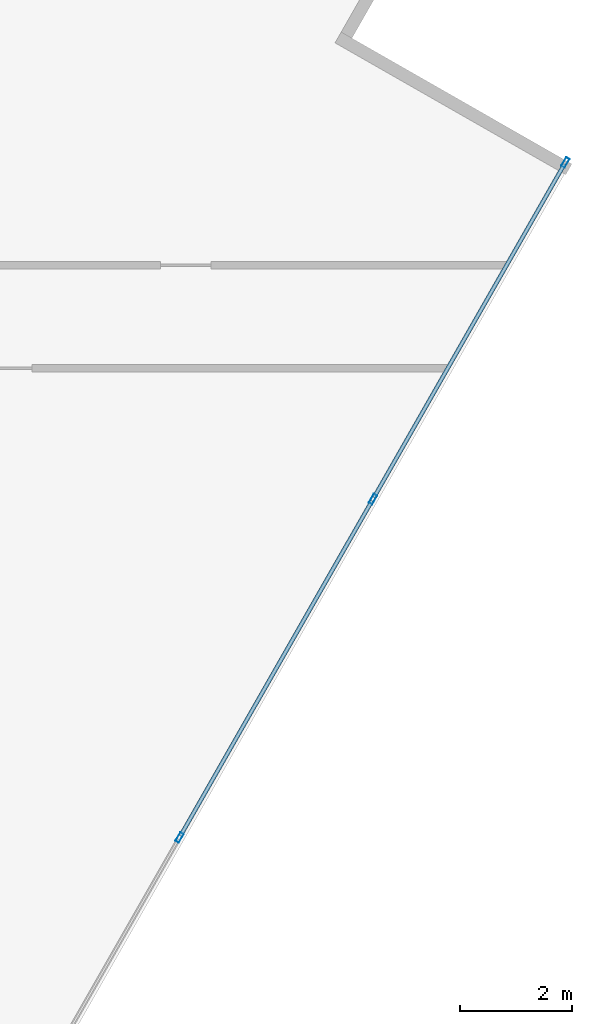
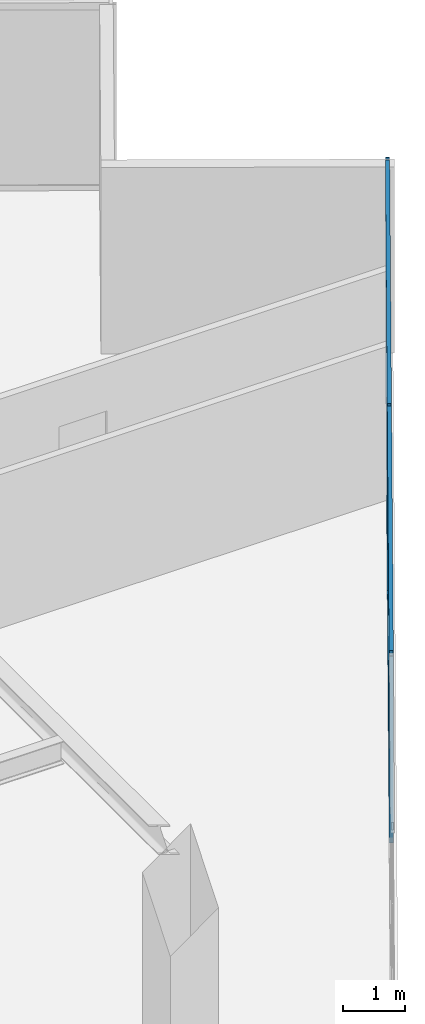
# One storey, part 11 of 24: 7 members, 1 element without a shape of its own.
"""IFC4 building model written with IfcOpenShell, lengths in metres."""

from ifc_helpers import new_model, si_unit, direction, frame, origin, origin_2d, place, context, subcontext, project, spatial, hollow_rectangle, extrude, source, transform, mapped, material, material_profile, profile_set, type_object, type_shapes, element, aggregate, save


model = new_model("IFC4")

# Units and contexts
model_context = context("Model", 3, precision=1e-05, world=origin(), true_north=direction((0.0, 1.0)))
body_context = subcontext(model_context, "Body", "Model", "MODEL_VIEW")
ifc_project = project(units=[si_unit("LENGTHUNIT", "METRE"), si_unit("AREAUNIT", "SQUARE_METRE"), si_unit("VOLUMEUNIT", "CUBIC_METRE"), si_unit("PLANEANGLEUNIT", "RADIAN"), si_unit("MASSUNIT", "GRAM", prefix="KILO")], contexts=[model_context])

# Site, building, storey
site_placement = place(None, origin())
site = spatial("IfcSite", under=ifc_project, at=site_placement, CompositionType="ELEMENT")
building_placement = place(site_placement, origin())
building = spatial("IfcBuilding", under=site, at=building_placement, Name="Krantzveldt Concourse Tower", CompositionType="ELEMENT")
storey_placement = place(building_placement, frame((0.0, 0.0, 165.949951171875)))
storey = spatial("IfcBuildingStorey", under=building, at=storey_placement, Name="L40", CompositionType="ELEMENT", Elevation=165.949951171875)

# Curtain wall, members
ifc_material = material(Name="Anodised aluminium 6063-T6", Category="aluminium")
curtain_wall_type = type_object("IfcCurtainWallType", Name="CW3", PredefinedType="USERDEFINED", material=ifc_material)
curtain_wall_placement = place(storey_placement, origin())
curtain_wall = element("IfcCurtainWall", 1, at=curtain_wall_placement, inside=storey, type_object=curtain_wall_type, Name="CW-L40-F11", ObjectType="UNITISED CURTAIN WALL", PredefinedType="USERDEFINED")
ifc_material_profile_1 = material_profile(ifc_material, hollow_rectangle(XDim=0.070068359375, YDim=0.179931640625, WallThickness=0.0048828125, at=origin_2d()), Name="Anodised aluminium 6063-T6", Category="aluminium")
ifc_profile_set_1 = profile_set([ifc_material_profile_1], Name="Anodised aluminium 6063-T6 - ALU-MULL 180x70x5")
member_type_1 = type_object("IfcMemberType", Name="CW-MUL-180", PredefinedType="MULLION", material=ifc_profile_set_1)
shared_shape_1 = source(origin(), body_context, "Body", "SweptSolid", [
    extrude(hollow_rectangle(XDim=0.070068359375, YDim=0.179931640625, WallThickness=0.0048828125, at=origin_2d()), origin(), (0.0, 0.0, 1.0), 3.670166015625),
])
type_shapes(member_type_1, [shared_shape_1])
member_1_placement = place(storey_placement, frame((56.662353515625, 18.89892578125, 0.0), z_axis=(0.0, 0.0, 1.0), x_axis=(-0.868198876949, 0.496216394392, 0.0)))
member_1 = element("IfcMember", 2, at=member_1_placement, type_object=member_type_1, Name="CW-Z34 mullion 4", PredefinedType="MULLION", context=body_context, shape_type="MappedRepresentation", body=[
    mapped(shared_shape_1, transform((0.0, 0.0, 0.0), x_axis=(1.0, 0.0, 0.0), y_axis=(0.0, 1.0, 0.0), z_axis=(0.0, 0.0, 1.0), scale=1.0)),
])
member_2_placement = place(storey_placement, frame((60.115966796875, 24.94140625, 0.0), z_axis=(0.0, 0.0, 1.0), x_axis=(-0.868198876949, 0.496216394392, 0.0)))
member_2 = element("IfcMember", 3, at=member_2_placement, type_object=member_type_1, Name="CW-Z34 mullion 5", PredefinedType="MULLION", context=body_context, shape_type="MappedRepresentation", body=[
    mapped(shared_shape_1, transform((0.0, 0.0, 0.0), x_axis=(1.0, 0.0, 0.0), y_axis=(0.0, 1.0, 0.0), z_axis=(0.0, 0.0, 1.0), scale=1.0)),
])
member_3_placement = place(storey_placement, frame((63.55224609375, 30.953857421875, 0.0), z_axis=(0.0, 0.0, 1.0), x_axis=(-0.868198876949, 0.496216394392, 0.0)))
member_3 = element("IfcMember", 4, at=member_3_placement, type_object=member_type_1, Name="CW-Z34 mullion 6", PredefinedType="MULLION", context=body_context, shape_type="MappedRepresentation", body=[
    mapped(shared_shape_1, transform((0.0, 0.0, 0.0), x_axis=(1.0, 0.0, 0.0), y_axis=(0.0, 1.0, 0.0), z_axis=(0.0, 0.0, 1.0), scale=1.0)),
])
ifc_material_profile_2 = material_profile(ifc_material, hollow_rectangle(XDim=0.070068359375, YDim=0.139892578125, WallThickness=0.0048828125, at=origin_2d()), Name="Anodised aluminium 6063-T6", Category="aluminium")
ifc_profile_set_2 = profile_set([ifc_material_profile_2], Name="Anodised aluminium 6063-T6 - ALU-TRAN 140x70x5")
member_type_2 = type_object("IfcMemberType", Name="CW-TRN-150", PredefinedType="USERDEFINED", material=ifc_profile_set_2)
shared_shape_2 = source(origin(), body_context, "Body", "SweptSolid", [
    extrude(hollow_rectangle(XDim=0.070068359375, YDim=0.139892578125, WallThickness=0.0048828125, at=origin_2d()), origin(), (0.0, 0.0, 1.0), 6.85498046875),
])
member_4_placement = place(storey_placement, frame((60.13330078125, 24.971923828125, 0.03515625), z_axis=(0.496227152008, 0.868192728379, 0.0), x_axis=(-0.868192728379, 0.496227152008, 0.0)))
member_4 = element("IfcMember", 5, at=member_4_placement, type_object=member_type_2, Name="CW-Z34 transom 5.1", ObjectType="TRANSOM", PredefinedType="USERDEFINED", context=body_context, shape_type="MappedRepresentation", body=[
    mapped(shared_shape_2, transform((0.0, 0.0, 0.0), x_axis=(1.0, 0.0, 0.0), y_axis=(0.0, 1.0, 0.0), z_axis=(0.0, 0.0, 1.0), scale=1.0)),
])
member_5_placement = place(storey_placement, frame((60.13330078125, 24.971923828125, 3.635009765625), z_axis=(0.496227152008, 0.868192728379, 0.0), x_axis=(-0.868192728379, 0.496227152008, 0.0)))
member_5 = element("IfcMember", 6, at=member_5_placement, type_object=member_type_2, Name="CW-Z34 transom 5.2", ObjectType="TRANSOM", PredefinedType="USERDEFINED", context=body_context, shape_type="MappedRepresentation", body=[
    mapped(shared_shape_2, transform((0.0, 0.0, 0.0), x_axis=(1.0, 0.0, 0.0), y_axis=(0.0, 1.0, 0.0), z_axis=(0.0, 0.0, 1.0), scale=1.0)),
])
shared_shape_3 = source(origin(), body_context, "Body", "SweptSolid", [
    extrude(hollow_rectangle(XDim=0.070068359375, YDim=0.139892578125, WallThickness=0.0048828125, at=origin_2d()), origin(), (0.0, 0.0, 1.0), 6.89013671875),
])
type_shapes(member_type_2, [shared_shape_2, shared_shape_3])
member_6_placement = place(storey_placement, frame((56.6796875, 18.92919921875, 0.03515625), z_axis=(0.496215255443, 0.868199527911, 0.0), x_axis=(-0.868199527911, 0.496215255443, 0.0)))
member_6 = element("IfcMember", 7, at=member_6_placement, type_object=member_type_2, Name="CW-Z34 transom 4.1", ObjectType="TRANSOM", PredefinedType="USERDEFINED", context=body_context, shape_type="MappedRepresentation", body=[
    mapped(shared_shape_3, transform((0.0, 0.0, 0.0), x_axis=(1.0, 0.0, 0.0), y_axis=(0.0, 1.0, 0.0), z_axis=(0.0, 0.0, 1.0), scale=1.0)),
])
member_7_placement = place(storey_placement, frame((56.6796875, 18.92919921875, 3.635009765625), z_axis=(0.496215255443, 0.868199527911, 0.0), x_axis=(-0.868199527911, 0.496215255443, 0.0)))
member_7 = element("IfcMember", 8, at=member_7_placement, type_object=member_type_2, Name="CW-Z34 transom 4.2", ObjectType="TRANSOM", PredefinedType="USERDEFINED", context=body_context, shape_type="MappedRepresentation", body=[
    mapped(shared_shape_3, transform((0.0, 0.0, 0.0), x_axis=(1.0, 0.0, 0.0), y_axis=(0.0, 1.0, 0.0), z_axis=(0.0, 0.0, 1.0), scale=1.0)),
])
aggregate(curtain_wall, [member_1, member_2, member_3, member_6, member_7, member_4, member_5])

save(model, "model.ifc")
